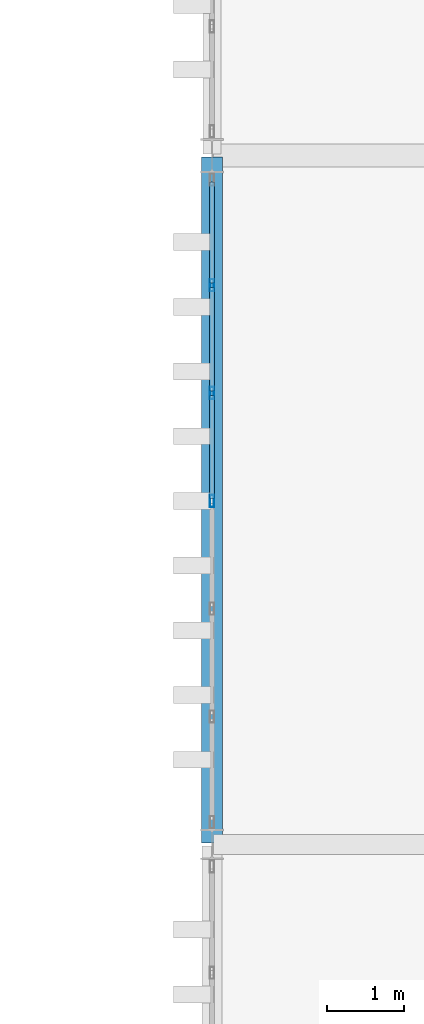
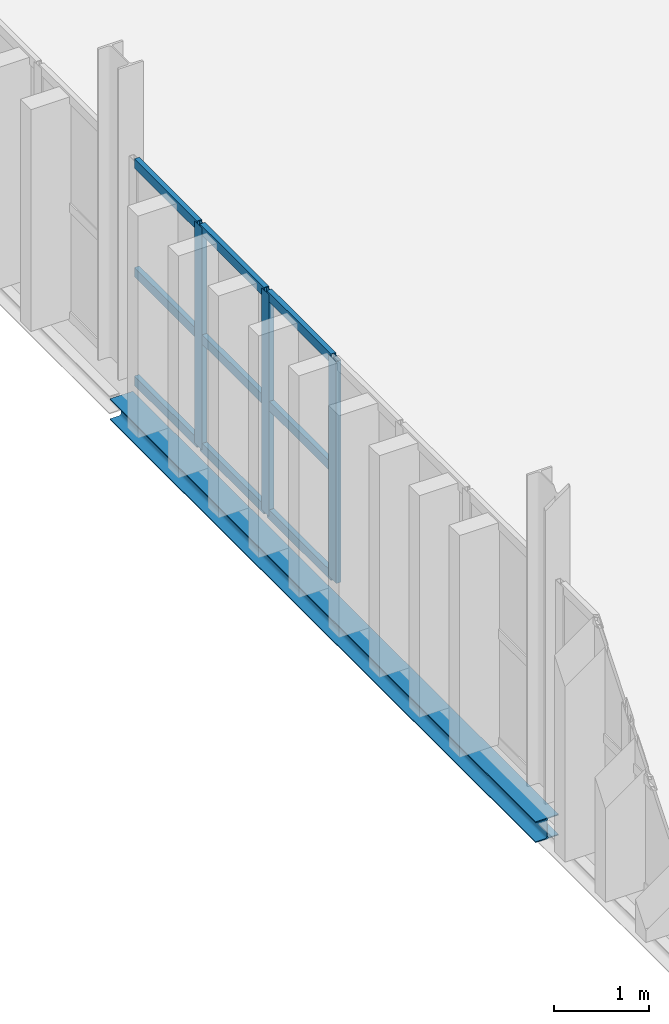
# One storey, part 62 of 102: 12 members, 1 beam, 1 element without a shape of its own.
"""IFC4 building model written with IfcOpenShell, lengths in metres."""

from ifc_helpers import new_model, si_unit, direction, frame, origin, origin_2d, place, context, subcontext, project, spatial, hollow_rectangle, i_section, extrude, material, layer, layer_set, material_profile, profile_set, type_object, element, aggregate, save


model = new_model("IFC4")

# Units and contexts
model_context = context("Model", 3, precision=1e-05, world=origin(), true_north=direction((0.0, 1.0)))
body_context = subcontext(model_context, "Body", "Model", "MODEL_VIEW")
ifc_project = project(units=[si_unit("LENGTHUNIT", "METRE"), si_unit("AREAUNIT", "SQUARE_METRE"), si_unit("VOLUMEUNIT", "CUBIC_METRE"), si_unit("PLANEANGLEUNIT", "RADIAN"), si_unit("MASSUNIT", "GRAM", prefix="KILO")], contexts=[model_context])

# Site, building, storey
site_placement = place(None, origin())
site = spatial("IfcSite", under=ifc_project, at=site_placement, CompositionType="ELEMENT")
building_placement = place(site_placement, origin())
building = spatial("IfcBuilding", under=site, at=building_placement, Name="Barlavento Convention Centre", CompositionType="ELEMENT")
storey_placement = place(building_placement, frame((0.0, 0.0, 22.800048828125)))
storey = spatial("IfcBuildingStorey", under=building, at=storey_placement, Name="L04", CompositionType="ELEMENT", Elevation=22.800048828125)

# Curtain wall, members
ifc_material_1 = material(Name="Powder-coated aluminium and Low-E glass", Category="aluminium")
ifc_layer = layer(ifc_material_1, 0.179931640625)
ifc_layer_set = layer_set([ifc_layer], Name="ARC-CW-PATIO-B")
curtain_wall_type = type_object("IfcCurtainWallType", Name="ARC-CW-PATIO-B", PredefinedType="NOTDEFINED", material=ifc_layer_set)
curtain_wall_placement = place(storey_placement, origin())
curtain_wall = element("IfcCurtainWall", 1, at=curtain_wall_placement, inside=storey, type_object=curtain_wall_type, Name="L04 unitised curtain wall CW12", PredefinedType="NOTDEFINED")
ifc_material_2 = material(Name="Powder-coated aluminium", Category="aluminium")
ifc_material_profile_1 = material_profile(ifc_material_2, hollow_rectangle(XDim=0.06005859375, YDim=0.159912109375, WallThickness=0.00390625, at=origin_2d()), Name="AL-MULL 60x160x4")
ifc_profile_set_1 = profile_set([ifc_material_profile_1], Name="Powder-coated aluminium")
member_type_1 = type_object("IfcMemberType", Name="ARC-CWM-60X160", PredefinedType="MULLION", material=ifc_profile_set_1)
member_1_placement = place(storey_placement, frame((171.0, 76.487548828125, 0.0), z_axis=(0.0, 0.0, 1.0), x_axis=(-1.0, 0.0, 0.0)))
member_1 = element("IfcMember", 2, at=member_1_placement, type_object=member_type_1, Name="CW12 mullion 4", PredefinedType="MULLION", context=body_context, shape_type="SweptSolid", body=[
    extrude(hollow_rectangle(XDim=0.06005859375, YDim=0.159912109375, WallThickness=0.00390625, at=origin_2d()), origin(), (0.0, 0.0, 1.0), 2.849853515625),
])
member_2_placement = place(storey_placement, frame((171.0, 77.896728515625, 0.0), z_axis=(0.0, 0.0, 1.0), x_axis=(-1.0, 0.0, 0.0)))
member_2 = element("IfcMember", 3, at=member_2_placement, type_object=member_type_1, Name="CW12 mullion 5", PredefinedType="MULLION", context=body_context, shape_type="SweptSolid", body=[
    extrude(hollow_rectangle(XDim=0.06005859375, YDim=0.159912109375, WallThickness=0.00390625, at=origin_2d()), origin(), (0.0, 0.0, 1.0), 2.849853515625),
])
member_3_placement = place(storey_placement, frame((171.0, 79.305908203125, 0.0), z_axis=(0.0, 0.0, 1.0), x_axis=(-1.0, 0.0, 0.0)))
member_3 = element("IfcMember", 4, at=member_3_placement, type_object=member_type_1, Name="CW12 mullion 6", PredefinedType="MULLION", context=body_context, shape_type="SweptSolid", body=[
    extrude(hollow_rectangle(XDim=0.06005859375, YDim=0.159912109375, WallThickness=0.00390625, at=origin_2d()), origin(), (0.0, 0.0, 1.0), 2.849853515625),
])
ifc_material_profile_2 = material_profile(ifc_material_2, hollow_rectangle(XDim=0.06005859375, YDim=0.1201171875, WallThickness=0.00390625, at=origin_2d()), Name="AL-TRAN 60x120x4")
ifc_profile_set_2 = profile_set([ifc_material_profile_2], Name="Powder-coated aluminium")
member_type_2 = type_object("IfcMemberType", Name="ARC-CWT-60X120", PredefinedType="USERDEFINED", material=ifc_profile_set_2)
member_4_placement = place(storey_placement, frame((171.0, 76.517578125, 0.030029296875), z_axis=(0.0, 1.0, 0.0), x_axis=(-1.0, 0.0, 0.0)))
member_4 = element("IfcMember", 5, at=member_4_placement, type_object=member_type_2, Name="CW12 transom 4.1", ObjectType="TRANSOM", PredefinedType="USERDEFINED", context=body_context, shape_type="SweptSolid", body=[
    extrude(hollow_rectangle(XDim=0.06005859375, YDim=0.1201171875, WallThickness=0.00390625, at=origin_2d()), origin(), (0.0, 0.0, 1.0), 1.34912109375),
])
member_5_placement = place(storey_placement, frame((171.0, 76.517578125, 1.425048828125), z_axis=(0.0, 1.0, 0.0), x_axis=(-1.0, 0.0, 0.0)))
member_5 = element("IfcMember", 6, at=member_5_placement, type_object=member_type_2, Name="CW12 transom 4.2", ObjectType="TRANSOM", PredefinedType="USERDEFINED", context=body_context, shape_type="SweptSolid", body=[
    extrude(hollow_rectangle(XDim=0.06005859375, YDim=0.1201171875, WallThickness=0.00390625, at=origin_2d()), origin(), (0.0, 0.0, 1.0), 1.34912109375),
])
member_6_placement = place(storey_placement, frame((171.0, 76.517578125, 2.820068359375), z_axis=(0.0, 1.0, 0.0), x_axis=(-1.0, 0.0, 0.0)))
member_6 = element("IfcMember", 7, at=member_6_placement, type_object=member_type_2, Name="CW12 transom 4.3", ObjectType="TRANSOM", PredefinedType="USERDEFINED", context=body_context, shape_type="SweptSolid", body=[
    extrude(hollow_rectangle(XDim=0.06005859375, YDim=0.1201171875, WallThickness=0.00390625, at=origin_2d()), origin(), (0.0, 0.0, 1.0), 1.34912109375),
])
member_7_placement = place(storey_placement, frame((171.0, 77.9267578125, 0.030029296875), z_axis=(0.0, 1.0, 0.0), x_axis=(-1.0, 0.0, 0.0)))
member_7 = element("IfcMember", 8, at=member_7_placement, type_object=member_type_2, Name="CW12 transom 5.1", ObjectType="TRANSOM", PredefinedType="USERDEFINED", context=body_context, shape_type="SweptSolid", body=[
    extrude(hollow_rectangle(XDim=0.06005859375, YDim=0.1201171875, WallThickness=0.00390625, at=origin_2d()), origin(), (0.0, 0.0, 1.0), 1.34912109375),
])
member_8_placement = place(storey_placement, frame((171.0, 77.9267578125, 1.425048828125), z_axis=(0.0, 1.0, 0.0), x_axis=(-1.0, 0.0, 0.0)))
member_8 = element("IfcMember", 9, at=member_8_placement, type_object=member_type_2, Name="CW12 transom 5.2", ObjectType="TRANSOM", PredefinedType="USERDEFINED", context=body_context, shape_type="SweptSolid", body=[
    extrude(hollow_rectangle(XDim=0.06005859375, YDim=0.1201171875, WallThickness=0.00390625, at=origin_2d()), origin(), (0.0, 0.0, 1.0), 1.34912109375),
])
member_9_placement = place(storey_placement, frame((171.0, 77.9267578125, 2.820068359375), z_axis=(0.0, 1.0, 0.0), x_axis=(-1.0, 0.0, 0.0)))
member_9 = element("IfcMember", 10, at=member_9_placement, type_object=member_type_2, Name="CW12 transom 5.3", ObjectType="TRANSOM", PredefinedType="USERDEFINED", context=body_context, shape_type="SweptSolid", body=[
    extrude(hollow_rectangle(XDim=0.06005859375, YDim=0.1201171875, WallThickness=0.00390625, at=origin_2d()), origin(), (0.0, 0.0, 1.0), 1.34912109375),
])
member_10_placement = place(storey_placement, frame((171.0, 79.3359375, 0.030029296875), z_axis=(0.0, 1.0, 0.0), x_axis=(-1.0, 0.0, 0.0)))
member_10 = element("IfcMember", 11, at=member_10_placement, type_object=member_type_2, Name="CW12 transom 6.1", ObjectType="TRANSOM", PredefinedType="USERDEFINED", context=body_context, shape_type="SweptSolid", body=[
    extrude(hollow_rectangle(XDim=0.06005859375, YDim=0.1201171875, WallThickness=0.00390625, at=origin_2d()), origin(), (0.0, 0.0, 1.0), 1.319091796875),
])
member_11_placement = place(storey_placement, frame((171.0, 79.3359375, 1.425048828125), z_axis=(0.0, 1.0, 0.0), x_axis=(-1.0, 0.0, 0.0)))
member_11 = element("IfcMember", 12, at=member_11_placement, type_object=member_type_2, Name="CW12 transom 6.2", ObjectType="TRANSOM", PredefinedType="USERDEFINED", context=body_context, shape_type="SweptSolid", body=[
    extrude(hollow_rectangle(XDim=0.06005859375, YDim=0.1201171875, WallThickness=0.00390625, at=origin_2d()), origin(), (0.0, 0.0, 1.0), 1.319091796875),
])
member_12_placement = place(storey_placement, frame((171.0, 79.3359375, 2.820068359375), z_axis=(0.0, 1.0, 0.0), x_axis=(-1.0, 0.0, 0.0)))
member_12 = element("IfcMember", 13, at=member_12_placement, type_object=member_type_2, Name="CW12 transom 6.3", ObjectType="TRANSOM", PredefinedType="USERDEFINED", context=body_context, shape_type="SweptSolid", body=[
    extrude(hollow_rectangle(XDim=0.06005859375, YDim=0.1201171875, WallThickness=0.00390625, at=origin_2d()), origin(), (0.0, 0.0, 1.0), 1.319091796875),
])
aggregate(curtain_wall, [member_1, member_2, member_3, member_4, member_5, member_6, member_7, member_8, member_9, member_10, member_11, member_12])

# Beam
ifc_material_3 = material(Name="Steel S355", Category="steel")
ifc_material_profile_3 = material_profile(ifc_material_3, i_section(OverallWidth=0.280029296875, OverallDepth=0.27001953125, WebThickness=0.008056640625, FlangeThickness=0.012939453125, FilletRadius=0.02392578125, at=origin_2d()), Name="HEA 280")
ifc_profile_set_3 = profile_set([ifc_material_profile_3], Name="Steel S355")
beam_type = type_object("IfcBeamType", Name="STR-BM-SPN-HEA280", PredefinedType="SPANDREL", material=ifc_profile_set_3)
beam_placement = place(storey_placement, frame((171.0, 72.02001953125, -0.4951171875), z_axis=(0.0, 1.0, 0.0), x_axis=(-1.0, 0.0, 0.0)))
element("IfcBeam", 14, at=beam_placement, inside=storey, type_object=beam_type, Name="L04 grid girder SP03", PredefinedType="SPANDREL", context=body_context, shape_type="SweptSolid", body=[
    extrude(i_section(OverallWidth=0.280029296875, OverallDepth=0.27001953125, WebThickness=0.008056640625, FlangeThickness=0.012939453125, FilletRadius=0.02392578125, at=origin_2d()), origin(), (0.0, 0.0, 1.0), 8.9599609375),
])

save(model, "model.ifc")
